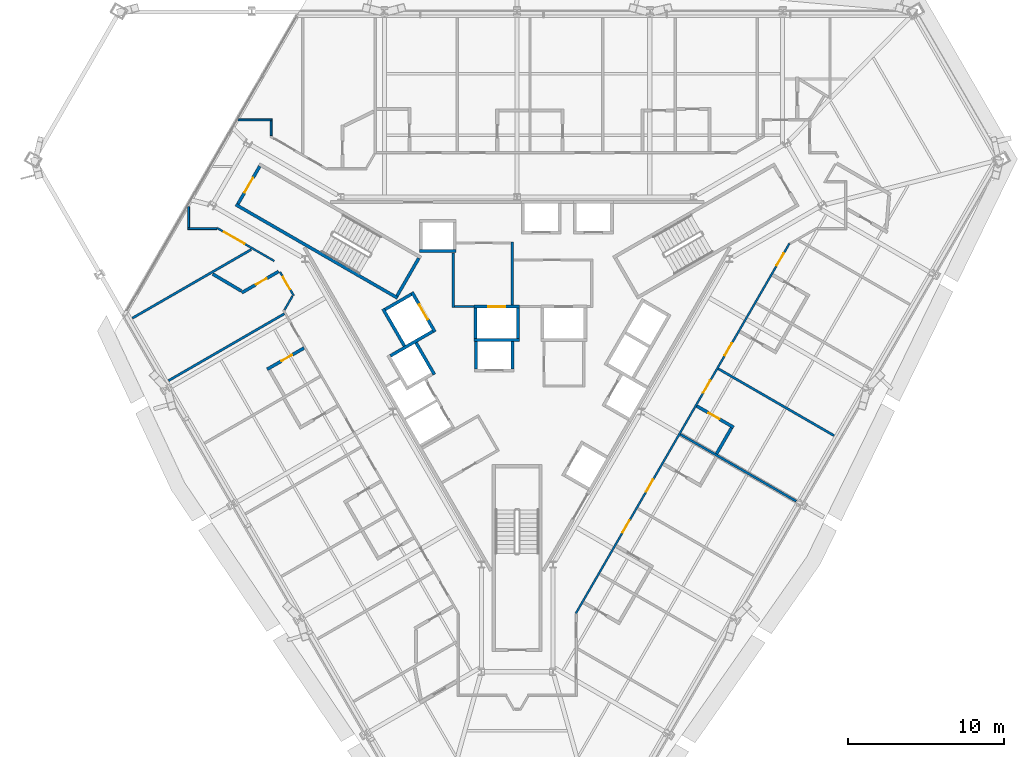
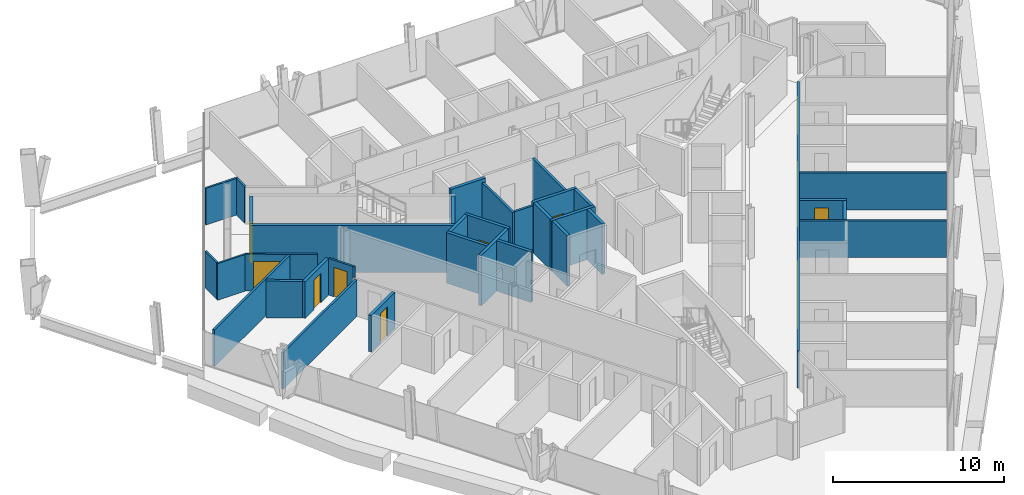
# One storey, part 12 of 17: 35 walls, 13 doors, 13 openings.
"""IFC4 building model written with IfcOpenShell, lengths in metres."""

from ifc_helpers import new_model, si_unit, direction, frame, frame_2d, origin, place, context, subcontext, project, spatial, rectangle, extrude, material, layer, layer_set, type_object, element, fill, save


model = new_model("IFC4")

# Units and contexts
model_context = context("Model", 3, precision=1e-05, world=origin(), true_north=direction((0.0, 1.0)))
body_context = subcontext(model_context, "Body", "Model", "MODEL_VIEW")
ifc_project = project(units=[si_unit("LENGTHUNIT", "METRE"), si_unit("AREAUNIT", "SQUARE_METRE"), si_unit("VOLUMEUNIT", "CUBIC_METRE"), si_unit("PLANEANGLEUNIT", "RADIAN"), si_unit("MASSUNIT", "GRAM", prefix="KILO")], contexts=[model_context])

# Site, building, storey
site_placement = place(None, origin())
site = spatial("IfcSite", under=ifc_project, at=site_placement, CompositionType="ELEMENT")
building_placement = place(site_placement, origin())
building = spatial("IfcBuilding", under=site, at=building_placement, Name="Verrane Prism Tower", CompositionType="ELEMENT")
storey_placement = place(building_placement, frame((0.0, 0.0, 62.0)))
storey = spatial("IfcBuildingStorey", under=building, at=storey_placement, Name="L13", CompositionType="ELEMENT", Elevation=62.0)

# Wall, opening, door
ifc_material_1 = material(Name="Concrete C40/50", Category="concrete")
ifc_layer_1 = layer(ifc_material_1, 0.199951171875)
ifc_layer_set_1 = layer_set([ifc_layer_1], Name="CW-200 stair core wall concrete C40/50 3 h")
wall_type_1 = type_object("IfcWallType", Name="CW-200 stair core wall concrete C40/50 3 h", PredefinedType="PARTITIONING", material=ifc_layer_set_1)
wall_1_placement = place(storey_placement, frame((-16.533935546875, 11.162353515625, 0.0), z_axis=(0.0, 0.0, 1.0), x_axis=(-0.49998411664, -0.866034573852, 0.0)))
wall_1 = element("IfcWall", 1, at=wall_1_placement, inside=storey, type_object=wall_type_1, Name="Stair 2 enclosure wall", PredefinedType="PARTITIONING", context=body_context, shape_type="SweptSolid", body=[
    extrude(rectangle(XDim=2.7998046875, YDim=0.199951171875, at=frame_2d((1.39990234375, 0.0))), origin(), (0.0, 0.0, 1.0), 3.35009765625),
])
opening_1_placement = place(wall_1_placement, frame((0.849853515625, 0.0, 0.0)))
opening_1 = element("IfcOpeningElement", 2, at=opening_1_placement, cuts=wall_1, Name="Opening D12501", PredefinedType="OPENING", context=body_context, shape_type="SweptSolid", body=[
    extrude(rectangle(XDim=1.10009765625, YDim=2.10009765625, at=frame_2d((0.550048828125, 1.050048828125))), frame((0.0, 0.10986328125, 0.0), z_axis=(0.0, -1.0, 0.0), x_axis=(1.0, 0.0, 0.0)), (0.0, 0.0, 1.0), 0.219970703125),
])
ifc_material_2 = material(Name="Timber veneered door leaf", Category="wood")
door_type_1 = type_object("IfcDoorType", Name="DR-1100x2100 FD90 single leaf stair", OperationType="NOTDEFINED", PredefinedType="DOOR", material=ifc_material_2)
door_1_placement = place(opening_1_placement, origin())
door_1 = element("IfcDoor", 3, at=door_1_placement, inside=storey, type_object=door_type_1, Name="Stair 2 door", OperationType="SINGLE_SWING_RIGHT", OverallHeight=2.10009765625, OverallWidth=1.10009765625, PredefinedType="DOOR", context=body_context, shape_type="SweptSolid", body=[
    extrude(rectangle(XDim=1.10009765625, YDim=2.10009765625, at=frame_2d((0.550048828125, 1.050048828125))), frame((0.0, 0.02490234375, 0.0), z_axis=(0.0, -1.0, 0.0), x_axis=(1.0, 0.0, 0.0)), (0.0, 0.0, 1.0), 0.050048828125),
])
fill(opening_1, door_1)

# Walls
wall_2_placement = place(storey_placement, frame((-7.67822265625, 2.700927734375, 0.0), z_axis=(0.0, 0.0, 1.0), x_axis=(-0.866026010844, 0.49999894854, 0.0)))
element("IfcWall", 4, at=wall_2_placement, inside=storey, type_object=wall_type_1, Name="Stair 2 enclosure wall", PredefinedType="PARTITIONING", context=body_context, shape_type="SweptSolid", body=[
    extrude(rectangle(XDim=12.0, YDim=0.199951171875, at=frame_2d((6.0, 0.0))), origin(), (0.0, 0.0, 1.0), 3.35009765625),
])
wall_3_placement = place(storey_placement, frame((-6.314697265625, 5.262451171875, 0.0), z_axis=(0.0, 0.0, 1.0), x_axis=(-0.500049511043, -0.865996816683, 0.0)))
element("IfcWall", 5, at=wall_3_placement, inside=storey, type_object=wall_type_1, Name="Stair 2 enclosure wall", PredefinedType="PARTITIONING", context=body_context, shape_type="SweptSolid", body=[
    extrude(rectangle(XDim=2.800048828125, YDim=0.199951171875, at=frame_2d((1.39990234375, 0.0))), origin(), (0.0, 0.0, 1.0), 3.35009765625),
])
ifc_material_3 = material(Name="Gypsum board shaft wall assembly", Category="other")
ifc_layer_2 = layer(ifc_material_3, 0.199951171875)
ifc_layer_set_2 = layer_set([ifc_layer_2], Name="HW-200 lift shaft wall 2 h")
wall_type_2 = type_object("IfcWallType", Name="HW-200 lift shaft wall 2 h", PredefinedType="PARTITIONING", material=ifc_layer_set_2)
wall_4_placement = place(storey_placement, frame((-2.784912109375, 0.0, 0.0), z_axis=(0.0, 0.0, 1.0), x_axis=(1.0, 0.0, 0.0)))
element("IfcWall", 6, at=wall_4_placement, inside=storey, type_object=wall_type_2, Name="Lift shaft wall", PredefinedType="PARTITIONING", context=body_context, shape_type="SweptSolid", body=[
    extrude(rectangle(XDim=2.949951171875, YDim=0.199951171875, at=frame_2d((1.47509765625, 0.0))), origin(), (0.0, 0.0, 1.0), 3.60009765625),
])

# Wall, opening, door
wall_5_placement = place(storey_placement, frame((-2.784912109375, 2.14990234375, 0.0), z_axis=(0.0, 0.0, 1.0), x_axis=(1.0, 0.0, 0.0)))
wall_5 = element("IfcWall", 7, at=wall_5_placement, inside=storey, type_object=wall_type_2, Name="Lift shaft wall", PredefinedType="PARTITIONING", context=body_context, shape_type="SweptSolid", body=[
    extrude(rectangle(XDim=2.949951171875, YDim=0.199951171875, at=frame_2d((1.47509765625, 0.0))), origin(), (0.0, 0.0, 1.0), 3.60009765625),
])
opening_2_placement = place(wall_5_placement, frame((0.925048828125, 0.0, 0.0)))
opening_2 = element("IfcOpeningElement", 8, at=opening_2_placement, cuts=wall_5, Name="Opening D12508", PredefinedType="OPENING", context=body_context, shape_type="SweptSolid", body=[
    extrude(rectangle(XDim=1.10009765625, YDim=2.10009765625, at=frame_2d((0.550048828125, 1.050048828125))), frame((0.0, 0.10986328125, 0.0), z_axis=(0.0, -1.0, 0.0), x_axis=(1.0, 0.0, 0.0)), (0.0, 0.0, 1.0), 0.219970703125),
])
ifc_material_4 = material(Name="Stainless steel sliding landing door", Category="steel")
door_type_2 = type_object("IfcDoorType", Name="LD-1100x2100 lift landing door FD90 sliding", OperationType="NOTDEFINED", PredefinedType="DOOR", material=ifc_material_4)
door_2_placement = place(opening_2_placement, origin())
door_2 = element("IfcDoor", 9, at=door_2_placement, inside=storey, type_object=door_type_2, Name="Fire service lift 1 landing door", OperationType="SLIDING_TO_LEFT", OverallHeight=2.10009765625, OverallWidth=1.10009765625, PredefinedType="DOOR", context=body_context, shape_type="SweptSolid", body=[
    extrude(rectangle(XDim=1.10009765625, YDim=2.10009765625, at=frame_2d((0.550048828125, 1.050048828125))), frame((0.0, 0.02490234375, 0.0), z_axis=(0.0, -1.0, 0.0), x_axis=(1.0, 0.0, 0.0)), (0.0, 0.0, 1.0), 0.050048828125),
])
fill(opening_2, door_2)

# Walls
wall_6_placement = place(storey_placement, frame((-6.284912109375, 5.7099609375, 0.0), z_axis=(0.0, 0.0, 1.0), x_axis=(1.0, 0.0, 0.0)))
element("IfcWall", 10, at=wall_6_placement, inside=storey, type_object=wall_type_2, Name="Lift shaft wall", PredefinedType="PARTITIONING", context=body_context, shape_type="SweptSolid", body=[
    extrude(rectangle(XDim=2.349853515625, YDim=0.199951171875, at=frame_2d((1.1748046875, 0.0))), origin(), (0.0, 0.0, 1.0), 3.60009765625),
])
wall_7_placement = place(storey_placement, frame((-8.14453125, -1.012939453125, 0.0), z_axis=(0.0, 0.0, 1.0), x_axis=(0.866016494683, 0.500015430699, 0.0)))
element("IfcWall", 11, at=wall_7_placement, inside=storey, type_object=wall_type_2, Name="Lift shaft wall", PredefinedType="PARTITIONING", context=body_context, shape_type="SweptSolid", body=[
    extrude(rectangle(XDim=3.14990234375, YDim=0.199951171875, at=frame_2d((1.574951171875, 0.0))), origin(), (0.0, 0.0, 1.0), 3.60009765625),
])
for number, where, z_axis, x_axis, name in (
    (12, (-8.48046875, 1.968505859375, 0.0), (0.0, 0.0, 1.0), (0.866000020948, 0.500043961785, 0.0), "Lift shaft wall"),
    (13, (0.06494140625, 0.10009765625, 0.0), (0.0, 0.0, 1.0), (0.0, 1.0, 0.0), "Lift shaft wall"),
):
    element("IfcWall", number, at=place(storey_placement, frame(where, z_axis=z_axis, x_axis=x_axis)), inside=storey, type_object=wall_type_2, Name=name, PredefinedType="PARTITIONING", context=body_context, shape_type="SweptSolid", body=[
        extrude(rectangle(XDim=1.949951171875, YDim=0.199951171875, at=frame_2d((0.97509765625, 0.0))), origin(), (0.0, 0.0, 1.0), 3.60009765625),
    ])
for number, where, z_axis, x_axis, name in (
    (14, (-0.304931640625, -1.85009765625, 0.0), (0.0, 0.0, 1.0), (0.0, 1.0, 0.0), "Lift shaft wall"),
    (15, (-2.655029296875, -1.85009765625, 0.0), (0.0, 0.0, 1.0), (0.0, 1.0, 0.0), "Lift shaft wall"),
):
    element("IfcWall", number, at=place(storey_placement, frame(where, z_axis=z_axis, x_axis=x_axis)), inside=storey, type_object=wall_type_2, Name=name, PredefinedType="PARTITIONING", context=body_context, shape_type="SweptSolid", body=[
        extrude(rectangle(XDim=1.75, YDim=0.199951171875, at=frame_2d((0.875, 0.0))), origin(), (0.0, 0.0, 1.0), 3.60009765625),
    ])
wall_8_placement = place(storey_placement, frame((-2.68505859375, 0.10009765625, 0.0), z_axis=(0.0, 0.0, 1.0), x_axis=(0.0, 1.0, 0.0)))
element("IfcWall", 16, at=wall_8_placement, inside=storey, type_object=wall_type_2, Name="Lift shaft wall", PredefinedType="PARTITIONING", context=body_context, shape_type="SweptSolid", body=[
    extrude(rectangle(XDim=1.949951171875, YDim=0.199951171875, at=frame_2d((0.97509765625, 0.0))), origin(), (0.0, 0.0, 1.0), 3.60009765625),
])

# Wall, opening, door
wall_9_placement = place(storey_placement, frame((-5.280029296875, 0.525390625, 0.0), z_axis=(0.0, 0.0, 1.0), x_axis=(-0.500037662692, 0.866003658127, 0.0)))
wall_9 = element("IfcWall", 17, at=wall_9_placement, inside=storey, type_object=wall_type_2, Name="Lift shaft wall", PredefinedType="PARTITIONING", context=body_context, shape_type="SweptSolid", body=[
    extrude(rectangle(XDim=2.949951171875, YDim=0.199951171875, at=frame_2d((1.47509765625, 0.0))), origin(), (0.0, 0.0, 1.0), 3.60009765625),
])
opening_3_placement = place(wall_9_placement, frame((0.925048828125, 0.0, 0.0)))
opening_3 = element("IfcOpeningElement", 18, at=opening_3_placement, cuts=wall_9, Name="Opening D12510", PredefinedType="OPENING", context=body_context, shape_type="SweptSolid", body=[
    extrude(rectangle(XDim=1.10009765625, YDim=2.10009765625, at=frame_2d((0.550048828125, 1.050048828125))), frame((0.0, 0.10986328125, 0.0), z_axis=(0.0, -1.0, 0.0), x_axis=(1.0, 0.0, 0.0)), (0.0, 0.0, 1.0), 0.219970703125),
])
door_3_placement = place(opening_3_placement, origin())
door_3 = element("IfcDoor", 19, at=door_3_placement, inside=storey, type_object=door_type_2, Name="Service lift 1 landing door", OperationType="SLIDING_TO_LEFT", OverallHeight=2.10009765625, OverallWidth=1.10009765625, PredefinedType="DOOR", context=body_context, shape_type="SweptSolid", body=[
    extrude(rectangle(XDim=1.10009765625, YDim=2.10009765625, at=frame_2d((0.550048828125, 1.050048828125))), frame((0.0, 0.02490234375, 0.0), z_axis=(0.0, -1.0, 0.0), x_axis=(1.0, 0.0, 0.0)), (0.0, 0.0, 1.0), 0.050048828125),
])
fill(opening_3, door_3)

# Walls
wall_10_placement = place(storey_placement, frame((-5.317626953125, -2.209716796875, 0.0), z_axis=(0.0, 0.0, 1.0), x_axis=(-0.499938297808, 0.866061024631, 0.0)))
element("IfcWall", 20, at=wall_10_placement, inside=storey, type_object=wall_type_2, Name="Lift shaft wall", PredefinedType="PARTITIONING", context=body_context, shape_type="SweptSolid", body=[
    extrude(rectangle(XDim=2.349853515625, YDim=0.199951171875, at=frame_2d((1.1748046875, 0.0))), origin(), (0.0, 0.0, 1.0), 3.60009765625),
])
wall_11_placement = place(storey_placement, frame((-7.241943359375, -0.37646484375, 0.0), z_axis=(0.0, 0.0, 1.0), x_axis=(-0.499996545922, 0.866027397988, 0.0)))
element("IfcWall", 21, at=wall_11_placement, inside=storey, type_object=wall_type_2, Name="Lift shaft wall", PredefinedType="PARTITIONING", context=body_context, shape_type="SweptSolid", body=[
    extrude(rectangle(XDim=2.75, YDim=0.199951171875, at=frame_2d((1.375, 0.0))), origin(), (0.0, 0.0, 1.0), 3.60009765625),
])
ifc_material_5 = material(Name="Gypsum board partition", Category="other")
ifc_layer_3 = layer(ifc_material_5, 0.14990234375)
ifc_layer_set_3 = layer_set([ifc_layer_3], Name="LF-150 firefighting lobby wall 1 h")
wall_type_3 = type_object("IfcWallType", Name="LF-150 firefighting lobby wall 1 h", PredefinedType="PARTITIONING", material=ifc_layer_set_3)
wall_12_placement = place(storey_placement, frame((-4.10009765625, 2.0849609375, 0.0), z_axis=(0.0, 0.0, 1.0), x_axis=(0.0, 1.0, 0.0)))
element("IfcWall", 22, at=wall_12_placement, inside=storey, type_object=wall_type_3, Name="Firefighting lobby wall LF1-001", PredefinedType="PARTITIONING", context=body_context, shape_type="SweptSolid", body=[
    extrude(rectangle(XDim=3.52294921875, YDim=0.14990234375, at=frame_2d((1.761474609375, 0.0))), origin(), (0.0, 0.0, 1.0), 3.35009765625),
])
wall_13_placement = place(storey_placement, frame((-4.02490234375, 2.159912109375, 0.0), z_axis=(0.0, 0.0, 1.0), x_axis=(1.0, 0.0, 0.0)))
element("IfcWall", 23, at=wall_13_placement, inside=storey, type_object=wall_type_3, Name="Firefighting lobby wall LF1-002", PredefinedType="PARTITIONING", context=body_context, shape_type="SweptSolid", body=[
    extrude(rectangle(XDim=1.23779296875, YDim=0.14990234375, at=frame_2d((0.618896484375, 0.0))), origin(), (0.0, 0.0, 1.0), 3.35009765625),
])
wall_14_placement = place(storey_placement, frame((-0.320068359375, 2.251953125, 0.0), z_axis=(0.0, 0.0, 1.0), x_axis=(0.0, 1.0, 0.0)))
element("IfcWall", 24, at=wall_14_placement, inside=storey, type_object=wall_type_3, Name="Firefighting lobby wall LF1-004", PredefinedType="PARTITIONING", context=body_context, shape_type="SweptSolid", body=[
    extrude(rectangle(XDim=4.06298828125, YDim=0.14990234375, at=frame_2d((2.031494140625, 0.0))), origin(), (0.0, 0.0, 1.0), 3.35009765625),
])
ifc_material_6 = material(Name="Gypsum board partition", Category="other")
ifc_layer_4 = layer(ifc_material_6, 0.125)
ifc_layer_set_4 = layer_set([ifc_layer_4], Name="PW-125 corridor wall 1 h")
wall_type_4 = type_object("IfcWallType", Name="PW-125 corridor wall 1 h", PredefinedType="PARTITIONING", material=ifc_layer_set_4)
wall_15_placement = place(storey_placement, frame((-21.096923828125, 7.22802734375, 0.0), z_axis=(0.0, 0.0, 1.0), x_axis=(0.0, 1.0, 0.0)))
element("IfcWall", 25, at=wall_15_placement, inside=storey, type_object=wall_type_4, Name="Corridor wall 003", PredefinedType="PARTITIONING", context=body_context, shape_type="SweptSolid", body=[
    extrude(rectangle(XDim=1.350830078125, YDim=0.125, at=frame_2d((0.67529296875, 0.0))), origin(), (0.0, 0.0, 1.0), 2.613037109375),
])
wall_16_placement = place(storey_placement, frame((-21.159423828125, 7.1630859375, 0.0), z_axis=(0.0, 0.0, 1.0), x_axis=(1.0, 0.0, 0.0)))
element("IfcWall", 26, at=wall_16_placement, inside=storey, type_object=wall_type_4, Name="Corridor wall 004", PredefinedType="PARTITIONING", context=body_context, shape_type="SweptSolid", body=[
    extrude(rectangle(XDim=1.868408203125, YDim=0.125, at=frame_2d((0.93408203125, 0.0))), origin(), (0.0, 0.0, 1.0), 2.613037109375),
])

# Wall, opening, door
wall_17_placement = place(storey_placement, frame((-15.598876953125, 5.079833984375, 0.0), z_axis=(0.0, 0.0, 1.0), x_axis=(-0.865948995961, 0.500132318886, 0.0)))
wall_17 = element("IfcWall", 27, at=wall_17_placement, inside=storey, type_object=wall_type_4, Name="Corridor wall 007", PredefinedType="PARTITIONING", context=body_context, shape_type="SweptSolid", body=[
    extrude(rectangle(XDim=4.227783203125, YDim=0.125, at=frame_2d((2.11376953125, 0.0))), origin(), (0.0, 0.0, 1.0), 2.613037109375),
])
opening_4_placement = place(wall_17_placement, frame((2.215576171875, 0.0, 0.0)))
opening_4 = element("IfcOpeningElement", 28, at=opening_4_placement, cuts=wall_17, Name="Opening D12015", PredefinedType="OPENING", context=body_context, shape_type="SweptSolid", body=[
    extrude(rectangle(XDim=1.5, YDim=2.10009765625, at=frame_2d((0.75, 1.050048828125))), frame((0.0, 0.072509765625, 0.0), z_axis=(0.0, -1.0, 0.0), x_axis=(1.0, 0.0, 0.0)), (0.0, 0.0, 1.0), 0.14501953125),
])
ifc_material_7 = material(Name="Timber veneered door leaf", Category="wood")
door_type_3 = type_object("IfcDoorType", Name="DR-1500x2100 FD20 double leaf public", OperationType="NOTDEFINED", PredefinedType="DOOR", material=ifc_material_7)
door_4_placement = place(opening_4_placement, origin())
door_4 = element("IfcDoor", 29, at=door_4_placement, inside=storey, type_object=door_type_3, Name="Sky Garden Lounge door", OperationType="DOUBLE_DOOR_SINGLE_SWING", OverallHeight=2.10009765625, OverallWidth=1.5, PredefinedType="DOOR", context=body_context, shape_type="SweptSolid", body=[
    extrude(rectangle(XDim=1.5, YDim=2.10009765625, at=frame_2d((0.75, 1.050048828125))), frame((0.0, 0.02490234375, 0.0), z_axis=(0.0, -1.0, 0.0), x_axis=(1.0, 0.0, 0.0)), (0.0, 0.0, 1.0), 0.050048828125),
])
fill(opening_4, door_4)

# Walls
wall_18_placement = place(storey_placement, frame((-17.9140625, 14.136962890625, 0.0), z_axis=(0.0, 0.0, 1.0), x_axis=(1.0, 0.0, 0.0)))
element("IfcWall", 30, at=wall_18_placement, inside=storey, type_object=wall_type_4, Name="Corridor wall 008", PredefinedType="PARTITIONING", context=body_context, shape_type="SweptSolid", body=[
    extrude(rectangle(XDim=2.173583984375, YDim=0.125, at=frame_2d((1.0869140625, 0.0))), origin(), (0.0, 0.0, 1.0), 2.613037109375),
])
wall_19_placement = place(storey_placement, frame((-15.802978515625, 13.135009765625, 0.0), z_axis=(0.0, 0.0, 1.0), x_axis=(0.0, 1.0, 0.0)))
element("IfcWall", 31, at=wall_19_placement, inside=storey, type_object=wall_type_4, Name="Corridor wall 013", PredefinedType="PARTITIONING", context=body_context, shape_type="SweptSolid", body=[
    extrude(rectangle(XDim=0.93701171875, YDim=0.125, at=frame_2d((0.468505859375, 0.0))), origin(), (0.0, 0.0, 1.0), 2.613037109375),
])

# Wall, opening, door
wall_20_placement = place(storey_placement, frame((-14.350830078125, 2.85595703125, 0.0), z_axis=(0.0, 0.0, 1.0), x_axis=(-0.500075847163, 0.865981608976, 0.0)))
wall_20 = element("IfcWall", 32, at=wall_20_placement, inside=storey, type_object=wall_type_4, Name="Corridor wall 015", PredefinedType="PARTITIONING", context=body_context, shape_type="SweptSolid", body=[
    extrude(rectangle(XDim=1.754150390625, YDim=0.125, at=frame_2d((0.876953125, 0.0))), origin(), (0.0, 0.0, 1.0), 2.613037109375),
])
opening_5_placement = place(wall_20_placement, frame((0.47705078125, 0.0, 0.0)))
opening_5 = element("IfcOpeningElement", 33, at=opening_5_placement, cuts=wall_20, Name="Opening D12016", PredefinedType="OPENING", context=body_context, shape_type="SweptSolid", body=[
    extrude(rectangle(XDim=0.89990234375, YDim=2.10009765625, at=frame_2d((0.449951171875, 1.050048828125))), frame((0.0, 0.072509765625, 0.0), z_axis=(0.0, -1.0, 0.0), x_axis=(1.0, 0.0, 0.0)), (0.0, 0.0, 1.0), 0.14501953125),
])
ifc_material_8 = material(Name="Timber veneered door leaf", Category="wood")
door_type_4 = type_object("IfcDoorType", Name="DR-900x2100 FD20 single leaf unit", OperationType="NOTDEFINED", PredefinedType="DOOR", material=ifc_material_8)
door_5_placement = place(opening_5_placement, origin())
door_5 = element("IfcDoor", 34, at=door_5_placement, inside=storey, type_object=door_type_4, Name="Guest Room door", OperationType="SINGLE_SWING_LEFT", OverallHeight=2.10009765625, OverallWidth=0.89990234375, PredefinedType="DOOR", context=body_context, shape_type="SweptSolid", body=[
    extrude(rectangle(XDim=0.89990234375, YDim=2.10009765625, at=frame_2d((0.449951171875, 1.050048828125))), frame((0.0, 0.02490234375, 0.0), z_axis=(0.0, -1.0, 0.0), x_axis=(1.0, 0.0, 0.0)), (0.0, 0.0, 1.0), 0.050048828125),
])
fill(opening_5, door_5)

# Wall
wall_21_placement = place(storey_placement, frame((-14.9404296875, 1.943603515625, 0.0), z_axis=(0.0, 0.0, 1.0), x_axis=(0.500289431813, 0.86585823575, 0.0)))
element("IfcWall", 35, at=wall_21_placement, inside=storey, type_object=wall_type_4, Name="Corridor wall 018", PredefinedType="PARTITIONING", context=body_context, shape_type="SweptSolid", body=[
    extrude(rectangle(XDim=1.03125, YDim=0.125, at=frame_2d((0.515625, 0.0))), origin(), (0.0, 0.0, 1.0), 2.613037109375),
])

# Wall, openings, doors
wall_22_placement = place(storey_placement, frame((17.486328125, 6.2060546875, 0.0), z_axis=(0.0, 0.0, 1.0), x_axis=(-0.499990458811, -0.866030912322, 0.0)))
wall_22 = element("IfcWall", 36, at=wall_22_placement, inside=storey, type_object=wall_type_4, Name="Corridor wall 054", PredefinedType="PARTITIONING", context=body_context, shape_type="SweptSolid", body=[
    extrude(rectangle(XDim=27.44140625, YDim=0.125, at=frame_2d((13.720703125, 0.0))), origin(), (0.0, 0.0, 1.0), 2.613037109375),
])
opening_6_placement = place(wall_22_placement, frame((20.529052734375, 0.0, 0.0)))
opening_6 = element("IfcOpeningElement", 37, at=opening_6_placement, cuts=wall_22, Name="Opening D12032", PredefinedType="OPENING", context=body_context, shape_type="SweptSolid", body=[
    extrude(rectangle(XDim=0.89990234375, YDim=2.10009765625, at=frame_2d((0.449951171875, 1.050048828125))), frame((0.0, 0.072509765625, 0.0), z_axis=(0.0, -1.0, 0.0), x_axis=(1.0, 0.0, 0.0)), (0.0, 0.0, 1.0), 0.14501953125),
])
opening_7_placement = place(wall_22_placement, frame((17.51611328125, 0.0, 0.0)))
opening_7 = element("IfcOpeningElement", 38, at=opening_7_placement, cuts=wall_22, Name="Opening D12034", PredefinedType="OPENING", context=body_context, shape_type="SweptSolid", body=[
    extrude(rectangle(XDim=0.89990234375, YDim=2.10009765625, at=frame_2d((0.449951171875, 1.050048828125))), frame((0.0, 0.072509765625, 0.0), z_axis=(0.0, -1.0, 0.0), x_axis=(1.0, 0.0, 0.0)), (0.0, 0.0, 1.0), 0.14501953125),
])
opening_8_placement = place(wall_22_placement, frame((10.16796875, 0.0, 0.0)))
opening_8 = element("IfcOpeningElement", 39, at=opening_8_placement, cuts=wall_22, Name="Opening D12036", PredefinedType="OPENING", context=body_context, shape_type="SweptSolid", body=[
    extrude(rectangle(XDim=0.89990234375, YDim=2.10009765625, at=frame_2d((0.449951171875, 1.050048828125))), frame((0.0, 0.072509765625, 0.0), z_axis=(0.0, -1.0, 0.0), x_axis=(1.0, 0.0, 0.0)), (0.0, 0.0, 1.0), 0.14501953125),
])
opening_9_placement = place(wall_22_placement, frame((7.403076171875, 0.0, 0.0)))
opening_9 = element("IfcOpeningElement", 40, at=opening_9_placement, cuts=wall_22, Name="Opening D12038", PredefinedType="OPENING", context=body_context, shape_type="SweptSolid", body=[
    extrude(rectangle(XDim=0.89990234375, YDim=2.10009765625, at=frame_2d((0.449951171875, 1.050048828125))), frame((0.0, 0.072509765625, 0.0), z_axis=(0.0, -1.0, 0.0), x_axis=(1.0, 0.0, 0.0)), (0.0, 0.0, 1.0), 0.14501953125),
])
opening_10_placement = place(wall_22_placement, frame((0.740966796875, 0.0, 0.0)))
opening_10 = element("IfcOpeningElement", 41, at=opening_10_placement, cuts=wall_22, Name="Opening D12040", PredefinedType="OPENING", context=body_context, shape_type="SweptSolid", body=[
    extrude(rectangle(XDim=0.89990234375, YDim=2.10009765625, at=frame_2d((0.449951171875, 1.050048828125))), frame((0.0, 0.072509765625, 0.0), z_axis=(0.0, -1.0, 0.0), x_axis=(1.0, 0.0, 0.0)), (0.0, 0.0, 1.0), 0.14501953125),
])
door_6_placement = place(opening_6_placement, origin())
door_6 = element("IfcDoor", 42, at=door_6_placement, inside=storey, type_object=door_type_4, Name="Guest Room door", OperationType="SINGLE_SWING_LEFT", OverallHeight=2.10009765625, OverallWidth=0.89990234375, PredefinedType="DOOR", context=body_context, shape_type="SweptSolid", body=[
    extrude(rectangle(XDim=0.89990234375, YDim=2.10009765625, at=frame_2d((0.449951171875, 1.050048828125))), frame((0.0, 0.02490234375, 0.0), z_axis=(0.0, -1.0, 0.0), x_axis=(1.0, 0.0, 0.0)), (0.0, 0.0, 1.0), 0.050048828125),
])
fill(opening_6, door_6)
door_7_placement = place(opening_7_placement, origin())
door_7 = element("IfcDoor", 43, at=door_7_placement, inside=storey, type_object=door_type_4, Name="Guest Room door", OperationType="SINGLE_SWING_LEFT", OverallHeight=2.10009765625, OverallWidth=0.89990234375, PredefinedType="DOOR", context=body_context, shape_type="SweptSolid", body=[
    extrude(rectangle(XDim=0.89990234375, YDim=2.10009765625, at=frame_2d((0.449951171875, 1.050048828125))), frame((0.0, 0.02490234375, 0.0), z_axis=(0.0, -1.0, 0.0), x_axis=(1.0, 0.0, 0.0)), (0.0, 0.0, 1.0), 0.050048828125),
])
fill(opening_7, door_7)
door_8_placement = place(opening_8_placement, origin())
door_8 = element("IfcDoor", 44, at=door_8_placement, inside=storey, type_object=door_type_4, Name="Guest Room door", OperationType="SINGLE_SWING_LEFT", OverallHeight=2.10009765625, OverallWidth=0.89990234375, PredefinedType="DOOR", context=body_context, shape_type="SweptSolid", body=[
    extrude(rectangle(XDim=0.89990234375, YDim=2.10009765625, at=frame_2d((0.449951171875, 1.050048828125))), frame((0.0, 0.02490234375, 0.0), z_axis=(0.0, -1.0, 0.0), x_axis=(1.0, 0.0, 0.0)), (0.0, 0.0, 1.0), 0.050048828125),
])
fill(opening_8, door_8)
door_9_placement = place(opening_9_placement, origin())
door_9 = element("IfcDoor", 45, at=door_9_placement, inside=storey, type_object=door_type_4, Name="Guest Room door", OperationType="SINGLE_SWING_LEFT", OverallHeight=2.10009765625, OverallWidth=0.89990234375, PredefinedType="DOOR", context=body_context, shape_type="SweptSolid", body=[
    extrude(rectangle(XDim=0.89990234375, YDim=2.10009765625, at=frame_2d((0.449951171875, 1.050048828125))), frame((0.0, 0.02490234375, 0.0), z_axis=(0.0, -1.0, 0.0), x_axis=(1.0, 0.0, 0.0)), (0.0, 0.0, 1.0), 0.050048828125),
])
fill(opening_9, door_9)
door_10_placement = place(opening_10_placement, origin())
door_10 = element("IfcDoor", 46, at=door_10_placement, inside=storey, type_object=door_type_4, Name="Guest Room door", OperationType="SINGLE_SWING_LEFT", OverallHeight=2.10009765625, OverallWidth=0.89990234375, PredefinedType="DOOR", context=body_context, shape_type="SweptSolid", body=[
    extrude(rectangle(XDim=0.89990234375, YDim=2.10009765625, at=frame_2d((0.449951171875, 1.050048828125))), frame((0.0, 0.02490234375, 0.0), z_axis=(0.0, -1.0, 0.0), x_axis=(1.0, 0.0, 0.0)), (0.0, 0.0, 1.0), 0.050048828125),
])
fill(opening_10, door_10)

# Walls
ifc_material_9 = material(Name="Gypsum board partition", Category="other")
ifc_layer_5 = layer(ifc_material_9, 0.14990234375)
ifc_layer_set_5 = layer_set([ifc_layer_5], Name="PW-150 demising wall 1 h")
wall_type_5 = type_object("IfcWallType", Name="PW-150 demising wall 1 h", PredefinedType="PARTITIONING", material=ifc_layer_set_5)
wall_23_placement = place(storey_placement, frame((-24.709716796875, 1.409912109375, 0.0), z_axis=(0.0, 0.0, 1.0), x_axis=(0.866020465219, 0.500008553748, 0.0)))
element("IfcWall", 47, at=wall_23_placement, inside=storey, type_object=wall_type_5, Name="Demising wall 001", PredefinedType="PARTITIONING", context=body_context, shape_type="SweptSolid", body=[
    extrude(rectangle(XDim=8.814697265625, YDim=0.14990234375, at=frame_2d((4.4072265625, 0.0))), origin(), (0.0, 0.0, 1.0), 2.613037109375),
])
wall_24_placement = place(storey_placement, frame((-22.391845703125, -2.60498046875, 0.0), z_axis=(0.0, 0.0, 1.0), x_axis=(0.866031705461, 0.499989085017, 0.0)))
element("IfcWall", 48, at=wall_24_placement, inside=storey, type_object=wall_type_5, Name="Demising wall 002", PredefinedType="PARTITIONING", context=body_context, shape_type="SweptSolid", body=[
    extrude(rectangle(XDim=8.586669921875, YDim=0.14990234375, at=frame_2d((4.29345703125, 0.0))), origin(), (0.0, 0.0, 1.0), 2.613037109375),
])
for number, where, z_axis, x_axis, name in (
    (49, (10.482177734375, -6.05126953125, 0.0), (0.0, 0.0, 1.0), (0.865978298045, -0.500081580659, 0.0), "Demising wall 067"),
    (50, (12.9140625, -1.83935546875, 0.0), (0.0, 0.0, 1.0), (0.866010015463, -0.500026652407, 0.0), "Demising wall 072"),
):
    element("IfcWall", number, at=place(storey_placement, frame(where, z_axis=z_axis, x_axis=x_axis)), inside=storey, type_object=wall_type_5, Name=name, PredefinedType="PARTITIONING", context=body_context, shape_type="SweptSolid", body=[
        extrude(rectangle(XDim=8.59130859375, YDim=0.14990234375, at=frame_2d((4.295654296875, 0.0))), origin(), (0.0, 0.0, 1.0), 2.613037109375),
    ])
ifc_material_10 = material(Name="Gypsum board partition", Category="other")
ifc_layer_6 = layer(ifc_material_10, 0.199951171875)
ifc_layer_set_6 = layer_set([ifc_layer_6], Name="PW-200 plumbing wall")
wall_type_6 = type_object("IfcWallType", Name="PW-200 plumbing wall", PredefinedType="PARTITIONING", material=ifc_layer_set_6)
wall_25_placement = place(storey_placement, frame((-19.553466796875, 4.243408203125, 0.0), z_axis=(0.0, 0.0, 1.0), x_axis=(0.860468125465, -0.509504273838, 0.0)))
element("IfcWall", 51, at=wall_25_placement, inside=storey, type_object=wall_type_6, Name="Plumbing wall 006", PredefinedType="PARTITIONING", context=body_context, shape_type="SweptSolid", body=[
    extrude(rectangle(XDim=2.1328125, YDim=0.199951171875, at=frame_2d((1.06640625, 0.0))), origin(), (0.0, 0.0, 1.0), 2.613037109375),
])

# Wall, opening, door
wall_26_placement = place(storey_placement, frame((-17.688720703125, 3.0380859375, 0.0), z_axis=(0.0, 0.0, 1.0), x_axis=(0.866028150195, 0.499995243048, 0.0)))
wall_26 = element("IfcWall", 52, at=wall_26_placement, inside=storey, type_object=wall_type_6, Name="Plumbing wall 009", PredefinedType="PARTITIONING", context=body_context, shape_type="SweptSolid", body=[
    extrude(rectangle(XDim=2.7373046875, YDim=0.199951171875, at=frame_2d((1.36865234375, 0.0))), origin(), (0.0, 0.0, 1.0), 2.613037109375),
])
opening_11_placement = place(wall_26_placement, frame((1.050048828125, 0.0, 0.0)))
opening_11 = element("IfcOpeningElement", 53, at=opening_11_placement, cuts=wall_26, Name="Opening D12017", PredefinedType="OPENING", context=body_context, shape_type="SweptSolid", body=[
    extrude(rectangle(XDim=0.800048828125, YDim=2.10009765625, at=frame_2d((0.39990234375, 1.050048828125))), frame((0.0, 0.10986328125, 0.0), z_axis=(0.0, -1.0, 0.0), x_axis=(1.0, 0.0, 0.0)), (0.0, 0.0, 1.0), 0.219970703125),
])
ifc_material_11 = material(Name="Timber veneered door leaf", Category="wood")
door_type_5 = type_object("IfcDoorType", Name="DR-800x2100 single leaf bath", OperationType="NOTDEFINED", PredefinedType="DOOR", material=ifc_material_11)
door_11_placement = place(opening_11_placement, origin())
door_11 = element("IfcDoor", 54, at=door_11_placement, inside=storey, type_object=door_type_5, Name="En-Suite door", OperationType="SINGLE_SWING_LEFT", OverallHeight=2.10009765625, OverallWidth=0.800048828125, PredefinedType="DOOR", context=body_context, shape_type="SweptSolid", body=[
    extrude(rectangle(XDim=0.800048828125, YDim=2.10009765625, at=frame_2d((0.39990234375, 1.050048828125))), frame((0.0, 0.02490234375, 0.0), z_axis=(0.0, -1.0, 0.0), x_axis=(1.0, 0.0, 0.0)), (0.0, 0.0, 1.0), 0.050048828125),
])
fill(opening_11, door_11)

wall_27_placement = place(storey_placement, frame((-13.6875, -0.5087890625, 0.0), z_axis=(0.0, 0.0, 1.0), x_axis=(-0.866012976267, -0.500021524473, 0.0)))
wall_27 = element("IfcWall", 55, at=wall_27_placement, inside=storey, type_object=wall_type_6, Name="Plumbing wall 012", PredefinedType="PARTITIONING", context=body_context, shape_type="SweptSolid", body=[
    extrude(rectangle(XDim=2.732421875, YDim=0.199951171875, at=frame_2d((1.3662109375, 0.0))), origin(), (0.0, 0.0, 1.0), 2.613037109375),
])
opening_12_placement = place(wall_27_placement, frame((0.88232421875, 0.0, 0.0)))
opening_12 = element("IfcOpeningElement", 56, at=opening_12_placement, cuts=wall_27, Name="Opening D12019", PredefinedType="OPENING", context=body_context, shape_type="SweptSolid", body=[
    extrude(rectangle(XDim=0.800048828125, YDim=2.10009765625, at=frame_2d((0.39990234375, 1.050048828125))), frame((0.0, 0.10986328125, 0.0), z_axis=(0.0, -1.0, 0.0), x_axis=(1.0, 0.0, 0.0)), (0.0, 0.0, 1.0), 0.219970703125),
])
door_12_placement = place(opening_12_placement, origin())
door_12 = element("IfcDoor", 57, at=door_12_placement, inside=storey, type_object=door_type_5, Name="En-Suite door", OperationType="SINGLE_SWING_RIGHT", OverallHeight=2.10009765625, OverallWidth=0.800048828125, PredefinedType="DOOR", context=body_context, shape_type="SweptSolid", body=[
    extrude(rectangle(XDim=0.800048828125, YDim=2.10009765625, at=frame_2d((0.39990234375, 1.050048828125))), frame((0.0, 0.02490234375, 0.0), z_axis=(0.0, -1.0, 0.0), x_axis=(1.0, 0.0, 0.0)), (0.0, 0.0, 1.0), 0.050048828125),
])
fill(opening_12, door_12)

wall_28_placement = place(storey_placement, frame((13.902587890625, -5.60205078125, 0.0), z_axis=(0.0, 0.0, 1.0), x_axis=(-0.86596722502, 0.50010075504, 0.0)))
wall_28 = element("IfcWall", 58, at=wall_28_placement, inside=storey, type_object=wall_type_6, Name="Plumbing wall 068", PredefinedType="PARTITIONING", context=body_context, shape_type="SweptSolid", body=[
    extrude(rectangle(XDim=2.7373046875, YDim=0.199951171875, at=frame_2d((1.36865234375, 0.0))), origin(), (0.0, 0.0, 1.0), 2.613037109375),
])
opening_13_placement = place(wall_28_placement, frame((1.0498046875, 0.0, 0.0)))
opening_13 = element("IfcOpeningElement", 59, at=opening_13_placement, cuts=wall_28, Name="Opening D12037", PredefinedType="OPENING", context=body_context, shape_type="SweptSolid", body=[
    extrude(rectangle(XDim=0.800048828125, YDim=2.10009765625, at=frame_2d((0.39990234375, 1.050048828125))), frame((0.0, 0.10986328125, 0.0), z_axis=(0.0, -1.0, 0.0), x_axis=(1.0, 0.0, 0.0)), (0.0, 0.0, 1.0), 0.219970703125),
])
door_13_placement = place(opening_13_placement, origin())
door_13 = element("IfcDoor", 60, at=door_13_placement, inside=storey, type_object=door_type_5, Name="En-Suite door", OperationType="SINGLE_SWING_RIGHT", OverallHeight=2.10009765625, OverallWidth=0.800048828125, PredefinedType="DOOR", context=body_context, shape_type="SweptSolid", body=[
    extrude(rectangle(XDim=0.800048828125, YDim=2.10009765625, at=frame_2d((0.39990234375, 1.050048828125))), frame((0.0, 0.02490234375, 0.0), z_axis=(0.0, -1.0, 0.0), x_axis=(1.0, 0.0, 0.0)), (0.0, 0.0, 1.0), 0.050048828125),
])
fill(opening_13, door_13)

# Wall
wall_29_placement = place(storey_placement, frame((12.803466796875, -7.304931640625, 0.0), z_axis=(0.0, 0.0, 1.0), x_axis=(0.500150762069, 0.865938343765, 0.0)))
element("IfcWall", 61, at=wall_29_placement, inside=storey, type_object=wall_type_6, Name="Plumbing wall 071", PredefinedType="PARTITIONING", context=body_context, shape_type="SweptSolid", body=[
    extrude(rectangle(XDim=1.92431640625, YDim=0.199951171875, at=frame_2d((0.962158203125, 0.0))), origin(), (0.0, 0.0, 1.0), 2.613037109375),
])

save(model, "model.ifc")
